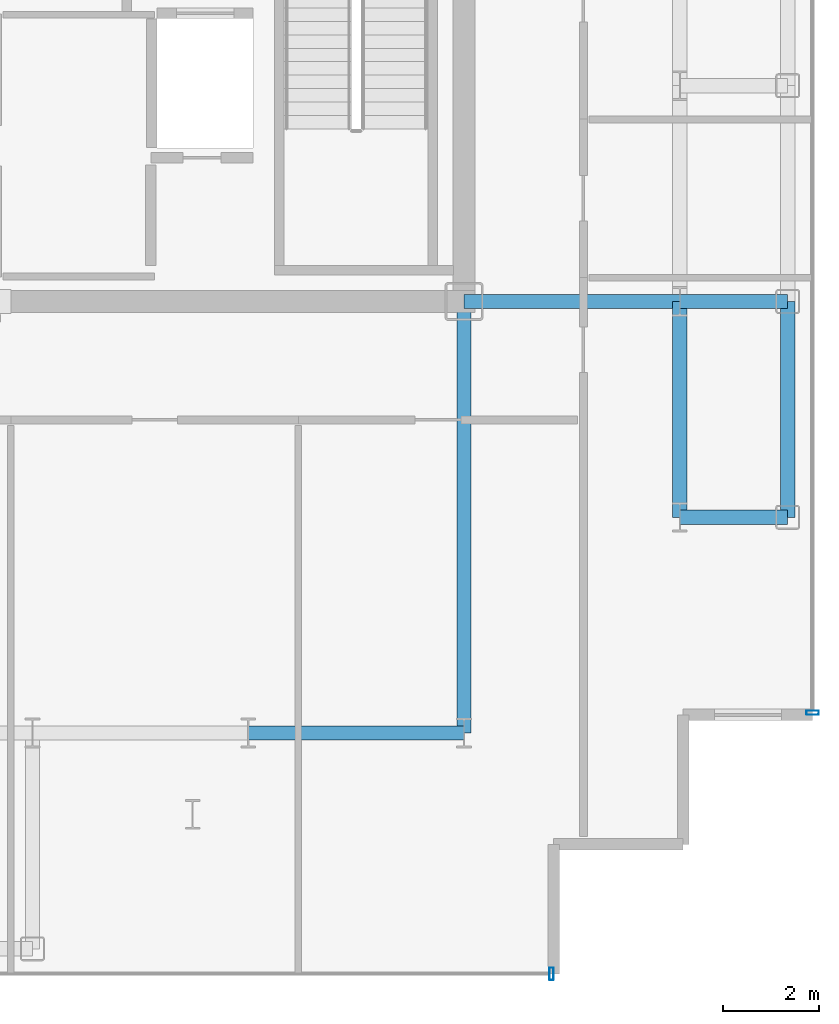
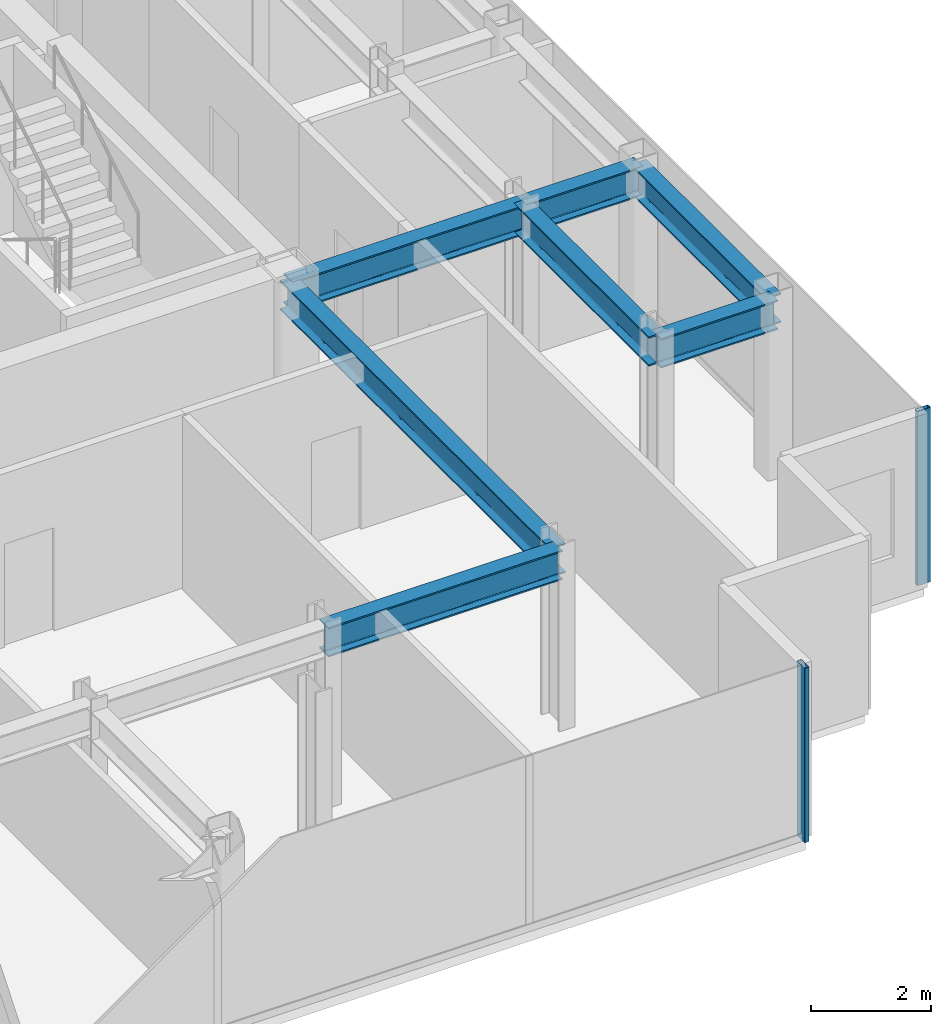
# One storey, part 6 of 18: 7 beams, 2 members, 2 elements without a shape of their own.
"""IFC4 building model written with IfcOpenShell, lengths in metres."""

from ifc_helpers import new_model, si_unit, direction, frame, origin, origin_2d, place, context, subcontext, project, spatial, hollow_rectangle, i_section, extrude, source, transform, mapped, material, layer, layer_set, material_profile, profile_set, type_object, element, aggregate, save


model = new_model("IFC4")

# Units and contexts
model_context = context("Model", 3, precision=1e-05, world=origin(), true_north=direction((0.0, 1.0)))
body_context = subcontext(model_context, "Body", "Model", "MODEL_VIEW")
ifc_project = project(units=[si_unit("LENGTHUNIT", "METRE"), si_unit("AREAUNIT", "SQUARE_METRE"), si_unit("VOLUMEUNIT", "CUBIC_METRE"), si_unit("PLANEANGLEUNIT", "RADIAN"), si_unit("MASSUNIT", "GRAM", prefix="KILO")], contexts=[model_context])

# Site, building, storey
site_placement = place(None, origin())
site = spatial("IfcSite", under=ifc_project, at=site_placement, CompositionType="ELEMENT")
building_placement = place(site_placement, origin())
building = spatial("IfcBuilding", under=site, at=building_placement, Name="Nefas-Gora Pilgrimage Tower", CompositionType="ELEMENT")
storey_placement = place(building_placement, frame((0.0, 0.0, 291.199951171875)))
storey = spatial("IfcBuildingStorey", under=building, at=storey_placement, Name="L73", CompositionType="ELEMENT", Elevation=291.199951171875)

# Beams
ifc_material_1 = material(Name="Steel S355", Category="steel")
ifc_material_profile_1 = material_profile(ifc_material_1, i_section(OverallWidth=0.300048828125, OverallDepth=0.60009765625, WebThickness=0.015380859375, FlangeThickness=0.030029296875, FilletRadius=0.027099609375, at=origin_2d()), Name="HEB 600")
ifc_profile_set_1 = profile_set([ifc_material_profile_1], Name="Steel S355")
beam_type_1 = type_object("IfcBeamType", Name="BM-SPN-HEB450", PredefinedType="SPANDREL", material=ifc_profile_set_1)
shared_shape_1 = source(origin(), body_context, "Body", "SweptSolid", [
    extrude(i_section(OverallWidth=0.300048828125, OverallDepth=0.60009765625, WebThickness=0.015380859375, FlangeThickness=0.030029296875, FilletRadius=0.027099609375, at=origin_2d()), origin(), (0.0, 0.0, 1.0), 4.5),
])
beam_1_placement = place(storey_placement, frame((18.0, -13.5, 3.25), z_axis=(0.0, 1.0, 0.0), x_axis=(-1.0, 0.0, 0.0)))
element("IfcBeam", 1, at=beam_1_placement, inside=storey, type_object=beam_type_1, Name="L73 SP-03 beam", PredefinedType="SPANDREL", context=body_context, shape_type="MappedRepresentation", body=[
    mapped(shared_shape_1, transform((0.0, 0.0, 0.0), x_axis=(1.0, 0.0, 0.0), y_axis=(0.0, 1.0, 0.0), z_axis=(0.0, 0.0, 1.0), scale=1.0)),
])
ifc_material_profile_2 = material_profile(ifc_material_1, i_section(OverallWidth=0.300048828125, OverallDepth=0.60009765625, WebThickness=0.015380859375, FlangeThickness=0.030029296875, FilletRadius=0.027099609375, at=origin_2d()), Name="HEB 600")
ifc_profile_set_2 = profile_set([ifc_material_profile_2], Name="Steel S355")
beam_type_2 = type_object("IfcBeamType", Name="BM-GIR-HEB600", PredefinedType="BEAM", material=ifc_profile_set_2)
shared_shape_2 = source(origin(), body_context, "Body", "SweptSolid", [
    extrude(i_section(OverallWidth=0.300048828125, OverallDepth=0.60009765625, WebThickness=0.015380859375, FlangeThickness=0.030029296875, FilletRadius=0.027099609375, at=origin_2d()), origin(), (0.0, 0.0, 1.0), 9.0),
])
beam_2_placement = place(storey_placement, frame((11.25, -18.0, 3.25), z_axis=(0.0, 1.0, 0.0), x_axis=(-1.0, 0.0, 0.0)))
element("IfcBeam", 2, at=beam_2_placement, inside=storey, type_object=beam_type_2, Name="L73 G-04 beam", PredefinedType="BEAM", context=body_context, shape_type="MappedRepresentation", body=[
    mapped(shared_shape_2, transform((0.0, 0.0, 0.0), x_axis=(1.0, 0.0, 0.0), y_axis=(0.0, 1.0, 0.0), z_axis=(0.0, 0.0, 1.0), scale=1.0)),
])
shared_shape_3 = source(origin(), body_context, "Body", "SweptSolid", [
    extrude(i_section(OverallWidth=0.300048828125, OverallDepth=0.60009765625, WebThickness=0.015380859375, FlangeThickness=0.030029296875, FilletRadius=0.027099609375, at=origin_2d()), origin(), (0.0, 0.0, 1.0), 4.5),
])
for number, where, z_axis, x_axis, name in (
    (3, (6.75, -18.0, 3.25), (1.0, 0.0, 0.0), (0.0, 1.0, 0.0), "L73 G-04 beam"),
    (4, (11.25, -9.0, 3.25), (1.0, 0.0, 0.0), (0.0, 1.0, 0.0), "L73 G-04 beam"),
    (5, (15.75, -13.5, 3.25), (0.0, 1.0, 0.0), (-1.0, 0.0, 0.0), "L73 G-04 beam"),
):
    element("IfcBeam", number, at=place(storey_placement, frame(where, z_axis=z_axis, x_axis=x_axis)), inside=storey, type_object=beam_type_2, Name=name, PredefinedType="BEAM", context=body_context, shape_type="MappedRepresentation", body=[
        mapped(shared_shape_3, transform((0.0, 0.0, 0.0), x_axis=(1.0, 0.0, 0.0), y_axis=(0.0, 1.0, 0.0), z_axis=(0.0, 0.0, 1.0), scale=1.0)),
    ])
shared_shape_4 = source(origin(), body_context, "Body", "SweptSolid", [
    extrude(i_section(OverallWidth=0.300048828125, OverallDepth=0.60009765625, WebThickness=0.015380859375, FlangeThickness=0.030029296875, FilletRadius=0.027099609375, at=origin_2d()), origin(), (0.0, 0.0, 1.0), 2.25),
])
for number, where, z_axis, x_axis, name in (
    (6, (15.75, -13.5, 3.25), (1.0, 0.0, 0.0), (0.0, 1.0, 0.0), "L73 G-04 beam"),
    (7, (15.75, -9.0, 3.25), (1.0, 0.0, 0.0), (0.0, 1.0, 0.0), "L73 G-04 beam"),
):
    element("IfcBeam", number, at=place(storey_placement, frame(where, z_axis=z_axis, x_axis=x_axis)), inside=storey, type_object=beam_type_2, Name=name, PredefinedType="BEAM", context=body_context, shape_type="MappedRepresentation", body=[
        mapped(shared_shape_4, transform((0.0, 0.0, 0.0), x_axis=(1.0, 0.0, 0.0), y_axis=(0.0, 1.0, 0.0), z_axis=(0.0, 0.0, 1.0), scale=1.0)),
    ])

# Curtain wall, member
ifc_material_2 = material(Name="Dark ceramic-fritted solar-control aluminium-glass curtain wall", Category="aluminium")
ifc_layer = layer(ifc_material_2, 0.219970703125)
ifc_layer_set = layer_set([ifc_layer], Name="Dark ceramic-fritted solar-control aluminium-glass curtain wall")
curtain_wall_type = type_object("IfcCurtainWallType", Name="CW-SYS-4", PredefinedType="NOTDEFINED", material=ifc_layer_set)
curtain_wall_1_placement = place(storey_placement, origin())
curtain_wall_1 = element("IfcCurtainWall", 8, at=curtain_wall_1_placement, inside=storey, type_object=curtain_wall_type, Name="L73 Unitised Curtain Wall CW4", PredefinedType="NOTDEFINED")
ifc_material_3 = material(Name="Anodised architectural aluminium", Category="aluminium")
ifc_material_profile_3 = material_profile(ifc_material_3, hollow_rectangle(XDim=0.090087890625, YDim=0.260009765625, WallThickness=0.006103515625, InnerFilletRadius=0.006103515625, OuterFilletRadius=0.011962890625, at=origin_2d()), Name="ALU MULLION 90x260")
ifc_profile_set_3 = profile_set([ifc_material_profile_3], Name="Anodised architectural aluminium")
member_type = type_object("IfcMemberType", Name="CWM-MUL-4", PredefinedType="MULLION", material=ifc_profile_set_3)
shared_shape_5 = source(origin(), body_context, "Body", "SweptSolid", [
    extrude(hollow_rectangle(XDim=0.090087890625, YDim=0.260009765625, WallThickness=0.006103515625, InnerFilletRadius=0.006103515625, OuterFilletRadius=0.011962890625, at=origin_2d()), origin(), (0.0, 0.0, 1.0), 3.550048828125),
])
member_1_placement = place(storey_placement, frame((18.52001953125, -17.574951171875, 0.0), z_axis=(0.0, 0.0, 1.0), x_axis=(0.0, 1.0, 0.0)))
member_1 = element("IfcMember", 9, at=member_1_placement, type_object=member_type, Name="CW4 Mullion 1", PredefinedType="MULLION", context=body_context, shape_type="MappedRepresentation", body=[
    mapped(shared_shape_5, transform((0.0, 0.0, 0.0), x_axis=(1.0, 0.0, 0.0), y_axis=(0.0, 1.0, 0.0), z_axis=(0.0, 0.0, 1.0), scale=1.0)),
])
aggregate(curtain_wall_1, [member_1])

curtain_wall_2_placement = place(storey_placement, origin())
curtain_wall_2 = element("IfcCurtainWall", 10, at=curtain_wall_2_placement, inside=storey, type_object=curtain_wall_type, Name="L73 Unitised Curtain Wall CW4", PredefinedType="NOTDEFINED")
member_2_placement = place(storey_placement, frame((13.074951171875, -23.02001953125, 0.0), z_axis=(0.0, 0.0, 1.0), x_axis=(1.0, 0.0, 0.0)))
member_2 = element("IfcMember", 11, at=member_2_placement, type_object=member_type, Name="CW4 Mullion 2", PredefinedType="MULLION", context=body_context, shape_type="MappedRepresentation", body=[
    mapped(shared_shape_5, transform((0.0, 0.0, 0.0), x_axis=(1.0, 0.0, 0.0), y_axis=(0.0, 1.0, 0.0), z_axis=(0.0, 0.0, 1.0), scale=1.0)),
])
aggregate(curtain_wall_2, [member_2])

save(model, "model.ifc")
